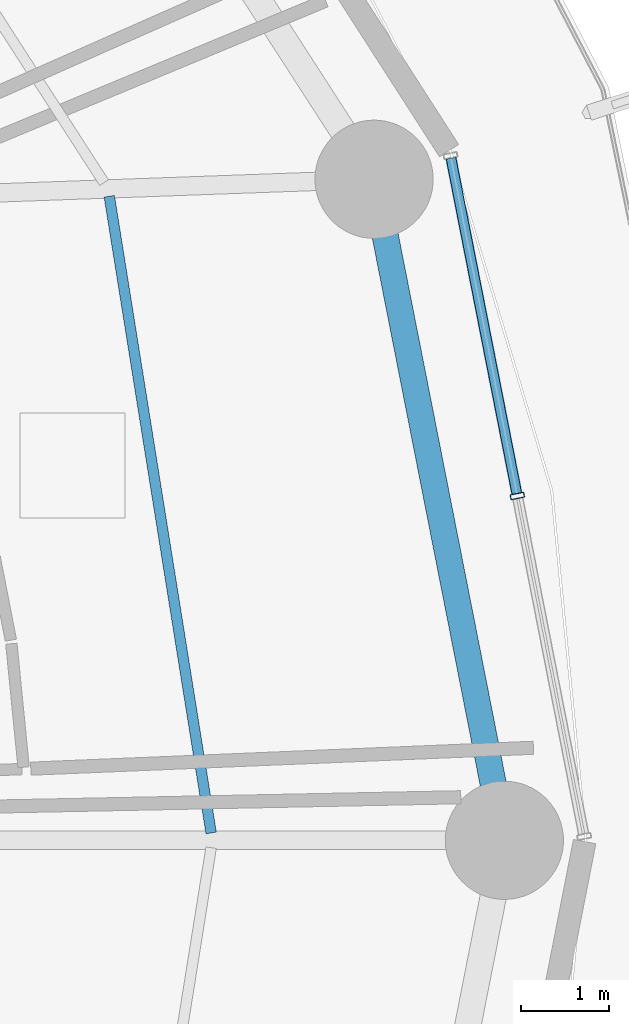
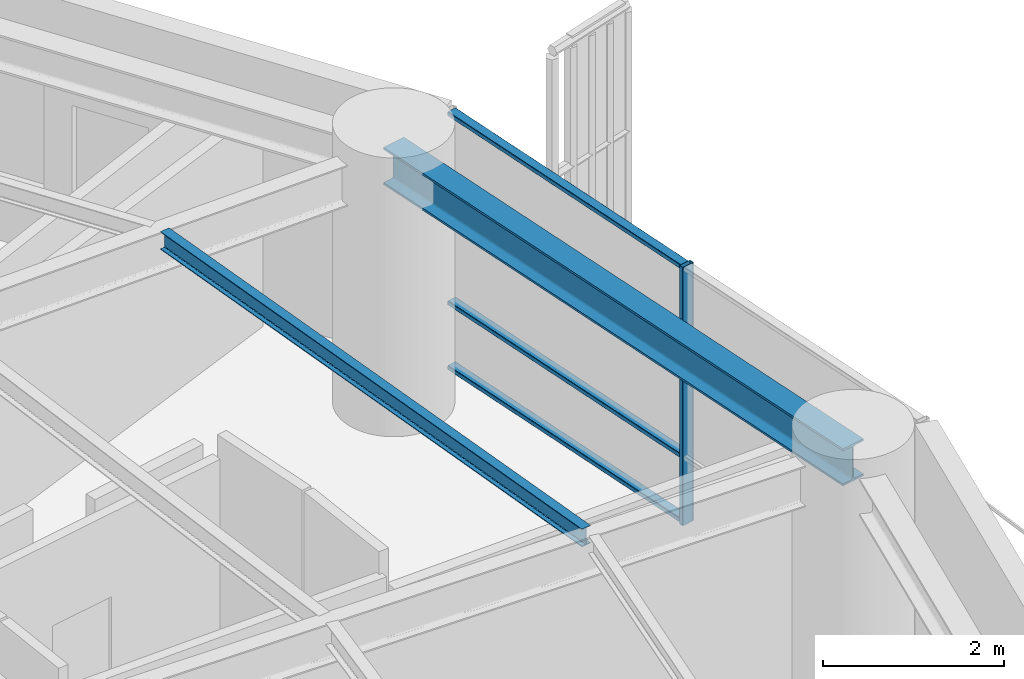
# One storey, part 16 of 35: 4 members, 2 beams, 1 element without a shape of its own.
"""IFC4 building model written with IfcOpenShell, lengths in metres."""

from ifc_helpers import new_model, si_unit, direction, frame, origin, origin_2d, place, context, subcontext, project, spatial, hollow_rectangle, i_section, extrude, material, layer, layer_set, material_profile, profile_set, type_object, element, aggregate, save


model = new_model("IFC4")

# Units and contexts
model_context = context("Model", 3, precision=1e-05, world=origin(), true_north=direction((0.0, 1.0)))
body_context = subcontext(model_context, "Body", "Model", "MODEL_VIEW")
ifc_project = project(units=[si_unit("LENGTHUNIT", "METRE"), si_unit("AREAUNIT", "SQUARE_METRE"), si_unit("VOLUMEUNIT", "CUBIC_METRE"), si_unit("PLANEANGLEUNIT", "RADIAN"), si_unit("MASSUNIT", "GRAM", prefix="KILO")], contexts=[model_context])

# Site, building, storey
site_placement = place(None, origin())
site = spatial("IfcSite", under=ifc_project, at=site_placement, CompositionType="ELEMENT")
building_placement = place(site_placement, origin())
building = spatial("IfcBuilding", under=site, at=building_placement, Name="Kelanora Arch Commons", CompositionType="ELEMENT")
storey_placement = place(building_placement, frame((0.0, 0.0, 91.35009765625)))
storey = spatial("IfcBuildingStorey", under=building, at=storey_placement, Name="L23", CompositionType="ELEMENT", Elevation=91.35009765625)

# Beams
ifc_material_1 = material(Name="Steel S355", Category="steel")
ifc_material_profile_1 = material_profile(ifc_material_1, i_section(OverallWidth=0.1201171875, OverallDepth=0.239990234375, WebThickness=0.006103515625, FlangeThickness=0.009765625, FilletRadius=0.014892578125, at=origin_2d()), Name="IPE240")
ifc_profile_set_1 = profile_set([ifc_material_profile_1], Name="Steel S355")
beam_type_1 = type_object("IfcBeamType", Name="BM-JST-02", PredefinedType="JOIST", material=ifc_profile_set_1)
beam_1_placement = place(storey_placement, frame((95.33056640625, 58.083984375, 3.369873046875), z_axis=(-0.157999549894, 0.987439184068, 0.0), x_axis=(-0.987439184068, -0.157999549894, 0.0)))
element("IfcBeam", 1, at=beam_1_placement, inside=storey, type_object=beam_type_1, Name="Secondary Chord Joist BJC-00 L23", PredefinedType="JOIST", context=body_context, shape_type="SweptSolid", body=[
    extrude(i_section(OverallWidth=0.1201171875, OverallDepth=0.239990234375, WebThickness=0.006103515625, FlangeThickness=0.009765625, FilletRadius=0.014892578125, at=origin_2d()), origin(), (0.0, 0.0, 1.0), 7.365966796875),
])
ifc_material_profile_2 = material_profile(ifc_material_1, i_section(OverallWidth=0.300048828125, OverallDepth=0.5, WebThickness=0.014404296875, FlangeThickness=0.028076171875, FilletRadius=0.027099609375, at=origin_2d()), Name="HEB500")
ifc_profile_set_2 = profile_set([ifc_material_profile_2], Name="Steel S355")
beam_type_2 = type_object("IfcBeamType", Name="BM-SPN-Z2", PredefinedType="SPANDREL", material=ifc_profile_set_2)
beam_2_placement = place(storey_placement, frame((98.679931640625, 58.0, 3.239990234375), z_axis=(-0.19335825777, 0.981128220037, 0.0), x_axis=(-0.981128220037, -0.19335825777, 0.0)))
element("IfcBeam", 2, at=beam_2_placement, inside=storey, type_object=beam_type_2, Name="Perimeter Spandrel Beam BS-00 L23", PredefinedType="SPANDREL", context=body_context, shape_type="SweptSolid", body=[
    extrude(i_section(OverallWidth=0.300048828125, OverallDepth=0.5, WebThickness=0.014404296875, FlangeThickness=0.028076171875, FilletRadius=0.027099609375, at=origin_2d()), origin(), (0.0, 0.0, 1.0), 7.697021484375),
])

# Curtain wall, members
ifc_material_2 = material(Name="Terracotta ceramic-fritted low-E glass and aluminium", Category="masonry")
ifc_layer = layer(ifc_material_2, 0.159912109375)
ifc_layer_set = layer_set([ifc_layer], Name="Terracotta ceramic-fritted low-E glass and aluminium")
curtain_wall_type = type_object("IfcCurtainWallType", Name="CW-SYS-01", PredefinedType="NOTDEFINED", material=ifc_layer_set)
curtain_wall_placement = place(storey_placement, origin())
curtain_wall = element("IfcCurtainWall", 3, at=curtain_wall_placement, inside=storey, type_object=curtain_wall_type, Name="Unitised Curtain Wall L23-B00", PredefinedType="NOTDEFINED")
ifc_material_3 = material(Name="Powder-coated aluminium terracotta", Category="masonry")
ifc_material_profile_3 = material_profile(ifc_material_3, hollow_rectangle(XDim=0.159912109375, YDim=0.06005859375, WallThickness=0.0048828125, InnerFilletRadius=0.0048828125, OuterFilletRadius=0.010009765625, at=origin_2d()), Name="CWM160x60")
ifc_profile_set_3 = profile_set([ifc_material_profile_3], Name="Powder-coated aluminium terracotta")
member_type_1 = type_object("IfcMemberType", Name="CWM-STD", PredefinedType="MULLION", material=ifc_profile_set_3)
member_1_placement = place(storey_placement, frame((98.828125, 61.933349609375, 0.0), z_axis=(0.0, 0.0, 1.0), x_axis=(-0.981280311646, -0.192584916272, 0.0)))
member_1 = element("IfcMember", 4, at=member_1_placement, type_object=member_type_1, Name="CW-01 mullion 2", PredefinedType="MULLION", context=body_context, shape_type="SweptSolid", body=[
    extrude(hollow_rectangle(XDim=0.159912109375, YDim=0.06005859375, WallThickness=0.0048828125, InnerFilletRadius=0.0048828125, OuterFilletRadius=0.010009765625, at=origin_2d()), origin(), (0.0, 0.0, 1.0), 3.474853515625),
])
ifc_material_profile_4 = material_profile(ifc_material_3, hollow_rectangle(XDim=0.1201171875, YDim=0.06005859375, WallThickness=0.0048828125, InnerFilletRadius=0.0048828125, OuterFilletRadius=0.010009765625, at=origin_2d()), Name="CWT120x60")
ifc_profile_set_4 = profile_set([ifc_material_profile_4], Name="Powder-coated aluminium terracotta")
member_type_2 = type_object("IfcMemberType", Name="CWT-STD", PredefinedType="USERDEFINED", material=ifc_profile_set_4)
member_2_placement = place(storey_placement, frame((98.822265625, 61.962646484375, 0.02978515625), z_axis=(-0.192578614785, 0.981281548348, 0.0), x_axis=(-0.981281548348, -0.192578614785, 0.0)))
member_2 = element("IfcMember", 5, at=member_2_placement, type_object=member_type_2, Name="CW-01 transom 2.1", ObjectType="TRANSOM", PredefinedType="USERDEFINED", context=body_context, shape_type="SweptSolid", body=[
    extrude(hollow_rectangle(XDim=0.1201171875, YDim=0.06005859375, WallThickness=0.0048828125, InnerFilletRadius=0.0048828125, OuterFilletRadius=0.010009765625, at=origin_2d()), origin(), (0.0, 0.0, 1.0), 3.9033203125),
])
member_3_placement = place(storey_placement, frame((98.822265625, 61.962646484375, 0.89990234375), z_axis=(-0.192578614785, 0.981281548348, 0.0), x_axis=(-0.981281548348, -0.192578614785, 0.0)))
member_3 = element("IfcMember", 6, at=member_3_placement, type_object=member_type_2, Name="CW-01 transom 2.2", ObjectType="TRANSOM", PredefinedType="USERDEFINED", context=body_context, shape_type="SweptSolid", body=[
    extrude(hollow_rectangle(XDim=0.1201171875, YDim=0.06005859375, WallThickness=0.0048828125, InnerFilletRadius=0.0048828125, OuterFilletRadius=0.010009765625, at=origin_2d()), origin(), (0.0, 0.0, 1.0), 3.9033203125),
])
member_4_placement = place(storey_placement, frame((98.822265625, 61.962646484375, 3.44482421875), z_axis=(-0.192578614785, 0.981281548348, 0.0), x_axis=(-0.981281548348, -0.192578614785, 0.0)))
member_4 = element("IfcMember", 7, at=member_4_placement, type_object=member_type_2, Name="CW-01 transom 2.3", ObjectType="TRANSOM", PredefinedType="USERDEFINED", context=body_context, shape_type="SweptSolid", body=[
    extrude(hollow_rectangle(XDim=0.1201171875, YDim=0.06005859375, WallThickness=0.0048828125, InnerFilletRadius=0.0048828125, OuterFilletRadius=0.010009765625, at=origin_2d()), origin(), (0.0, 0.0, 1.0), 3.9033203125),
])
aggregate(curtain_wall, [member_1, member_2, member_3, member_4])

save(model, "model.ifc")
